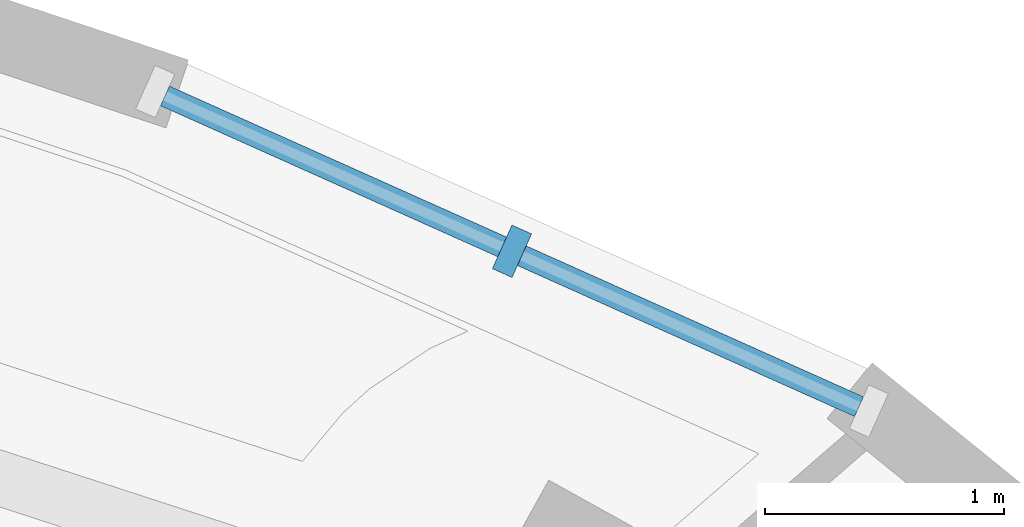
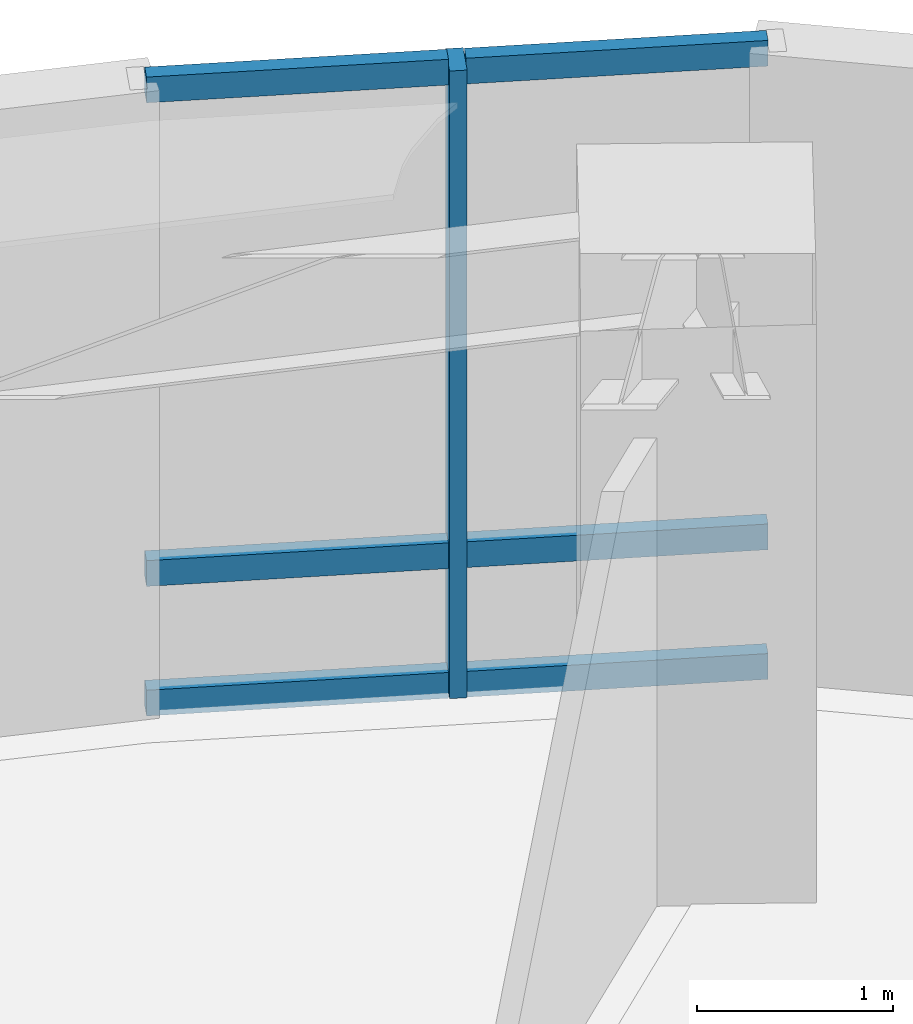
# One storey, part 6 of 15: 7 members, 1 element without a shape of its own.
"""IFC4 building model written with IfcOpenShell, lengths in metres."""

from ifc_helpers import new_model, si_unit, direction, frame, origin, origin_2d, place, context, subcontext, project, spatial, rectangle, extrude, material, layer, layer_set, material_profile, profile_set, type_object, element, aggregate, save


model = new_model("IFC4")

# Units and contexts
model_context = context("Model", 3, precision=1e-05, world=origin(), true_north=direction((0.0, 1.0)))
body_context = subcontext(model_context, "Body", "Model", "MODEL_VIEW")
ifc_project = project(units=[si_unit("LENGTHUNIT", "METRE"), si_unit("AREAUNIT", "SQUARE_METRE"), si_unit("VOLUMEUNIT", "CUBIC_METRE"), si_unit("PLANEANGLEUNIT", "RADIAN"), si_unit("MASSUNIT", "GRAM", prefix="KILO")], contexts=[model_context])

# Site, building, storey
site_placement = place(None, origin())
site = spatial("IfcSite", under=ifc_project, at=site_placement, CompositionType="ELEMENT")
building_placement = place(site_placement, origin())
building = spatial("IfcBuilding", under=site, at=building_placement, Name="Korentha Bioscience Tower", CompositionType="ELEMENT")
storey_placement = place(building_placement, frame((0.0, 0.0, 111.0)))
storey = spatial("IfcBuildingStorey", under=building, at=storey_placement, Name="L25", CompositionType="ELEMENT", Elevation=111.0)

# Curtain wall, members
ifc_material_1 = material(Name="Thermally Broken Aluminium Frame", Category="aluminium")
ifc_layer = layer(ifc_material_1, 0.219970703125, Name="Thermally Broken Aluminium Frame")
ifc_layer_set = layer_set([ifc_layer], Name="Thermally Broken Aluminium Frame (CW-T1)")
curtain_wall_type = type_object("IfcCurtainWallType", Name="Standard Bioscience Lab Unitised Curtain Wall CW-T1", PredefinedType="USERDEFINED", material=ifc_layer_set)
curtain_wall_placement = place(storey_placement, origin())
curtain_wall = element("IfcCurtainWall", 1, at=curtain_wall_placement, inside=storey, type_object=curtain_wall_type, Name="L25 Curtain Wall 01", ObjectType="UNITISED", PredefinedType="USERDEFINED")
ifc_material_2 = material(Name="Anodised Aluminium 6063-T6", Category="aluminium")
ifc_material_profile_1 = material_profile(ifc_material_2, rectangle(XDim=0.090087890625, YDim=0.199951171875, at=origin_2d()), Name="Anodised Aluminium 6063-T6")
ifc_profile_set_1 = profile_set([ifc_material_profile_1], Name="Anodised Aluminium 6063-T6 (CW-MUL)")
member_type_1 = type_object("IfcMemberType", Name="Mullion RECT 90x200", PredefinedType="MULLION", material=ifc_profile_set_1)
member_1_placement = place(storey_placement, frame((48.871337890625, 45.72021484375, 0.0), z_axis=(0.0, 0.0, 1.0), x_axis=(-0.912686563127, 0.408660295952, 0.0)))
member_1 = element("IfcMember", 2, at=member_1_placement, type_object=member_type_1, Name="CW-L25-01 Mullion 2", PredefinedType="MULLION", context=body_context, shape_type="SweptSolid", body=[
    extrude(rectangle(XDim=0.090087890625, YDim=0.199951171875, at=origin_2d()), origin(), (0.0, 0.0, 1.0), 3.89990234375),
])
ifc_material_profile_2 = material_profile(ifc_material_2, rectangle(XDim=0.090087890625, YDim=0.159912109375, at=origin_2d()), Name="Anodised Aluminium 6063-T6")
ifc_profile_set_2 = profile_set([ifc_material_profile_2], Name="Anodised Aluminium 6063-T6 (CW-TRN)")
member_type_2 = type_object("IfcMemberType", Name="Transom RECT 90x160", PredefinedType="USERDEFINED", material=ifc_profile_set_2)
member_2_placement = place(storey_placement, frame((50.322998046875, 45.0703125, 0.044921875), z_axis=(-0.912753156119, 0.408511537162, 0.0), x_axis=(-0.408511537162, -0.912753156119, 0.0)))
member_2 = element("IfcMember", 3, at=member_2_placement, type_object=member_type_2, Name="CW-L25-01 Bay 1 Transom 1", ObjectType="TRANSOM", PredefinedType="USERDEFINED", context=body_context, shape_type="SweptSolid", body=[
    extrude(rectangle(XDim=0.090087890625, YDim=0.159912109375, at=origin_2d()), origin(), (0.0, 0.0, 1.0), 1.54541015625),
])
member_3_placement = place(storey_placement, frame((50.322998046875, 45.0703125, 0.85009765625), z_axis=(-0.912753156119, 0.408511537162, 0.0), x_axis=(-0.408511537162, -0.912753156119, 0.0)))
member_3 = element("IfcMember", 4, at=member_3_placement, type_object=member_type_2, Name="CW-L25-01 Bay 1 Transom 2", ObjectType="TRANSOM", PredefinedType="USERDEFINED", context=body_context, shape_type="SweptSolid", body=[
    extrude(rectangle(XDim=0.090087890625, YDim=0.159912109375, at=origin_2d()), origin(), (0.0, 0.0, 1.0), 1.54541015625),
])
member_4_placement = place(storey_placement, frame((50.322998046875, 45.0703125, 3.85498046875), z_axis=(-0.912753156119, 0.408511537162, 0.0), x_axis=(-0.408511537162, -0.912753156119, 0.0)))
member_4 = element("IfcMember", 5, at=member_4_placement, type_object=member_type_2, Name="CW-L25-01 Bay 1 Transom 3", ObjectType="TRANSOM", PredefinedType="USERDEFINED", context=body_context, shape_type="SweptSolid", body=[
    extrude(rectangle(XDim=0.090087890625, YDim=0.159912109375, at=origin_2d()), origin(), (0.0, 0.0, 1.0), 1.54541015625),
])
member_5_placement = place(storey_placement, frame((48.830322265625, 45.738525390625, 0.044921875), z_axis=(-0.912667864607, 0.408702053962, 0.0), x_axis=(-0.408702053962, -0.912667864607, 0.0)))
member_5 = element("IfcMember", 6, at=member_5_placement, type_object=member_type_2, Name="CW-L25-01 Bay 2 Transom 1", ObjectType="TRANSOM", PredefinedType="USERDEFINED", context=body_context, shape_type="SweptSolid", body=[
    extrude(rectangle(XDim=0.090087890625, YDim=0.159912109375, at=origin_2d()), origin(), (0.0, 0.0, 1.0), 1.54541015625),
])
member_6_placement = place(storey_placement, frame((48.830322265625, 45.738525390625, 0.85009765625), z_axis=(-0.912667864607, 0.408702053962, 0.0), x_axis=(-0.408702053962, -0.912667864607, 0.0)))
member_6 = element("IfcMember", 7, at=member_6_placement, type_object=member_type_2, Name="CW-L25-01 Bay 2 Transom 2", ObjectType="TRANSOM", PredefinedType="USERDEFINED", context=body_context, shape_type="SweptSolid", body=[
    extrude(rectangle(XDim=0.090087890625, YDim=0.159912109375, at=origin_2d()), origin(), (0.0, 0.0, 1.0), 1.54541015625),
])
member_7_placement = place(storey_placement, frame((48.830322265625, 45.738525390625, 3.85498046875), z_axis=(-0.912667864607, 0.408702053962, 0.0), x_axis=(-0.408702053962, -0.912667864607, 0.0)))
member_7 = element("IfcMember", 8, at=member_7_placement, type_object=member_type_2, Name="CW-L25-01 Bay 2 Transom 3", ObjectType="TRANSOM", PredefinedType="USERDEFINED", context=body_context, shape_type="SweptSolid", body=[
    extrude(rectangle(XDim=0.090087890625, YDim=0.159912109375, at=origin_2d()), origin(), (0.0, 0.0, 1.0), 1.54541015625),
])
aggregate(curtain_wall, [member_1, member_2, member_3, member_4, member_5, member_6, member_7])

save(model, "model.ifc")
